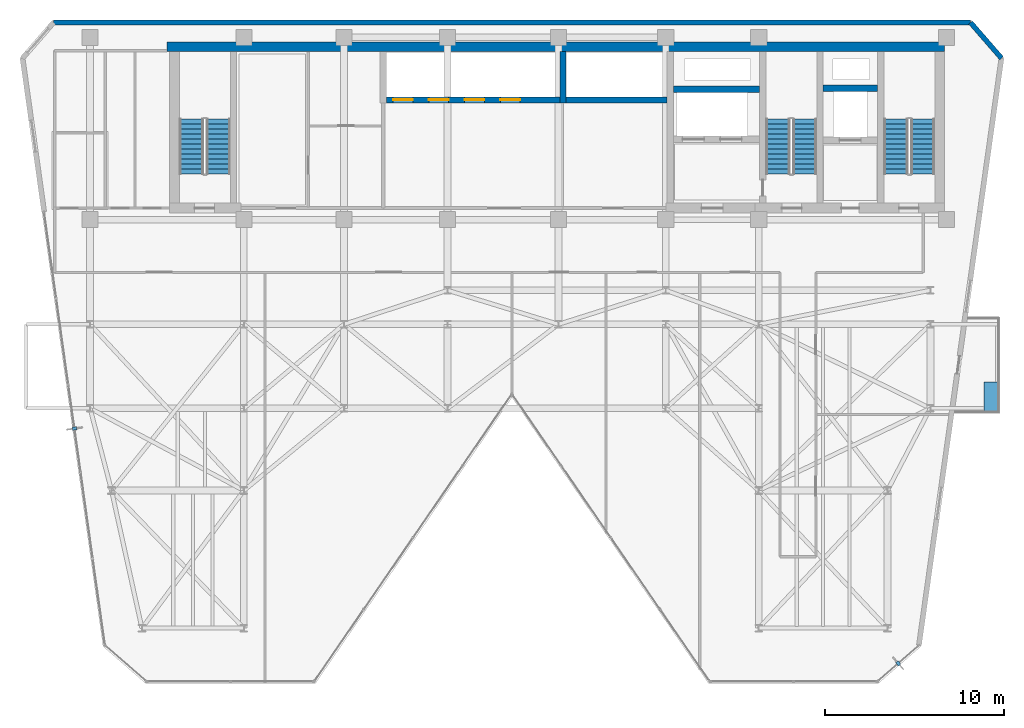
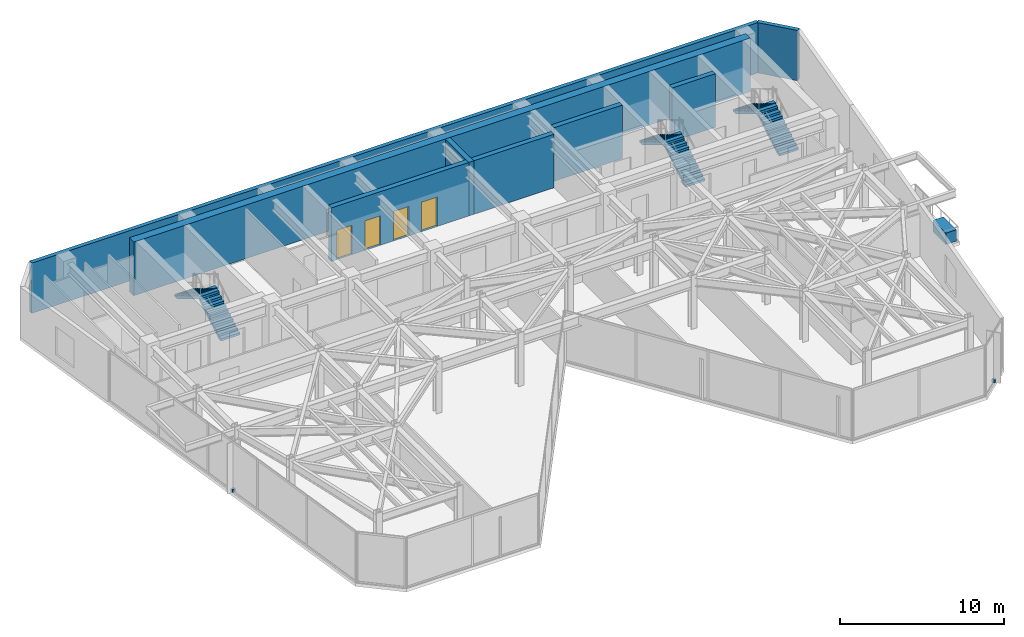
# One storey, part 24 of 27: 8 walls, 6 stair flights, 4 doors, 3 discrete accessories, 4 openings, 3 elements without a shape of their own.
"""IFC4 building model written with IfcOpenShell, lengths in metres."""

from ifc_helpers import new_model, si_unit, direction, frame, frame_2d, origin, origin_2d, place, context, subcontext, project, spatial, polyline, rectangle, outline, extrude, material, layer, layer_set, type_object, element, fill, aggregate, save


model = new_model("IFC4")

# Units and contexts
model_context = context("Model", 3, precision=1e-05, world=origin(), true_north=direction((0.0, 1.0)))
body_context = subcontext(model_context, "Body", "Model", "MODEL_VIEW")
ifc_project = project(units=[si_unit("LENGTHUNIT", "METRE"), si_unit("AREAUNIT", "SQUARE_METRE"), si_unit("VOLUMEUNIT", "CUBIC_METRE"), si_unit("PLANEANGLEUNIT", "RADIAN"), si_unit("MASSUNIT", "GRAM", prefix="KILO")], contexts=[model_context])

# Site, building, storey
site_placement = place(None, origin())
site = spatial("IfcSite", under=ifc_project, at=site_placement, CompositionType="ELEMENT")
building_placement = place(site_placement, origin())
building = spatial("IfcBuilding", under=site, at=building_placement, Name="Kravanh Interchange Tower", CompositionType="ELEMENT")
storey_placement = place(building_placement, frame((0.0, 0.0, 196.5)))
storey = spatial("IfcBuildingStorey", under=building, at=storey_placement, Name="L47", CompositionType="ELEMENT", Elevation=196.5)

# Walls
ifc_material_1 = material(Name="Concrete C60/75", Category="concrete")
ifc_layer_1 = layer(ifc_material_1, 0.35009765625)
ifc_layer_set_1 = layer_set([ifc_layer_1], Name="Core Shear Wall Concrete C60/75 350mm")
wall_type_1 = type_object("IfcWallType", Name="Core Shear Wall Concrete C60/75 350mm", PredefinedType="SHEAR", material=ifc_layer_set_1)
wall_1_placement = place(storey_placement, frame((59.60009765625, 44.699951171875, 0.0), z_axis=(0.0, 0.0, 1.0), x_axis=(1.0, 0.0, 0.0)))
element("IfcWall", 1, at=wall_1_placement, inside=storey, type_object=wall_type_1, Name="L47 Service Lift Shaft North Wall", PredefinedType="SHEAR", context=body_context, shape_type="SweptSolid", body=[
    extrude(rectangle(XDim=3.0498046875, YDim=0.35009765625, at=frame_2d((1.52490234375, 0.0))), origin(), (0.0, 0.0, 1.0), 4.0),
])
wall_2_placement = place(storey_placement, frame((51.22509765625, 44.64990234375, 0.0), z_axis=(0.0, 0.0, 1.0), x_axis=(1.0, 0.0, 0.0)))
element("IfcWall", 2, at=wall_2_placement, inside=storey, type_object=wall_type_1, Name="L47 Fire Lift Shaft North Wall", PredefinedType="SHEAR", context=body_context, shape_type="SweptSolid", body=[
    extrude(rectangle(XDim=4.824951171875, YDim=0.35009765625, at=frame_2d((2.41259765625, 0.0))), origin(), (0.0, 0.0, 1.0), 4.0),
])
wall_3_placement = place(storey_placement, frame((45.22509765625, 44.050048828125, 0.0), z_axis=(0.0, 0.0, 1.0), x_axis=(1.0, 0.0, 0.0)))
element("IfcWall", 3, at=wall_3_placement, inside=storey, type_object=wall_type_1, Name="L47 High-Rise Lift Shaft South Wall", PredefinedType="SHEAR", context=body_context, shape_type="SweptSolid", body=[
    extrude(rectangle(XDim=5.64990234375, YDim=0.35009765625, at=frame_2d((2.824951171875, 0.0))), origin(), (0.0, 0.0, 1.0), 4.0),
])
wall_4_placement = place(storey_placement, frame((45.050048828125, 43.875, 0.0), z_axis=(0.0, 0.0, 1.0), x_axis=(0.0, 1.0, 0.0)))
element("IfcWall", 4, at=wall_4_placement, inside=storey, type_object=wall_type_1, Name="L47 High-Rise Lift Shaft West Wall", PredefinedType="SHEAR", context=body_context, shape_type="SweptSolid", body=[
    extrude(rectangle(XDim=2.875, YDim=0.35009765625, at=frame_2d((1.4375, 0.0))), origin(), (0.0, 0.0, 1.0), 4.0),
])

# Wall, openings, doors
wall_5_placement = place(storey_placement, frame((35.175048828125, 44.050048828125, 0.0), z_axis=(0.0, 0.0, 1.0), x_axis=(1.0, 0.0, 0.0)))
wall_5 = element("IfcWall", 5, at=wall_5_placement, inside=storey, type_object=wall_type_1, Name="L47 Mid-Rise Lift Shaft South Wall", PredefinedType="SHEAR", context=body_context, shape_type="SweptSolid", body=[
    extrude(rectangle(XDim=9.699951171875, YDim=0.35009765625, at=frame_2d((4.85009765625, 0.0))), origin(), (0.0, 0.0, 1.0), 4.0),
])
opening_1_placement = place(wall_5_placement, frame((0.375, 0.0, 0.0)))
opening_1 = element("IfcOpeningElement", 6, at=opening_1_placement, cuts=wall_5, Name="Opening LD01", PredefinedType="OPENING", context=body_context, shape_type="SweptSolid", body=[
    extrude(rectangle(XDim=1.10009765625, YDim=2.199951171875, at=frame_2d((0.550048828125, 1.10009765625))), frame((0.0, 0.18505859375, 0.0), z_axis=(0.0, -1.0, 0.0), x_axis=(1.0, 0.0, 0.0)), (0.0, 0.0, 1.0), 0.3701171875),
])
opening_2_placement = place(wall_5_placement, frame((2.375, 0.0, 0.0)))
opening_2 = element("IfcOpeningElement", 7, at=opening_2_placement, cuts=wall_5, Name="Opening LD01", PredefinedType="OPENING", context=body_context, shape_type="SweptSolid", body=[
    extrude(rectangle(XDim=1.10009765625, YDim=2.199951171875, at=frame_2d((0.550048828125, 1.10009765625))), frame((0.0, 0.18505859375, 0.0), z_axis=(0.0, -1.0, 0.0), x_axis=(1.0, 0.0, 0.0)), (0.0, 0.0, 1.0), 0.3701171875),
])
opening_3_placement = place(wall_5_placement, frame((4.375, 0.0, 0.0)))
opening_3 = element("IfcOpeningElement", 8, at=opening_3_placement, cuts=wall_5, Name="Opening LD01", PredefinedType="OPENING", context=body_context, shape_type="SweptSolid", body=[
    extrude(rectangle(XDim=1.10009765625, YDim=2.199951171875, at=frame_2d((0.550048828125, 1.10009765625))), frame((0.0, 0.18505859375, 0.0), z_axis=(0.0, -1.0, 0.0), x_axis=(1.0, 0.0, 0.0)), (0.0, 0.0, 1.0), 0.3701171875),
])
opening_4_placement = place(wall_5_placement, frame((6.375, 0.0, 0.0)))
opening_4 = element("IfcOpeningElement", 9, at=opening_4_placement, cuts=wall_5, Name="Opening LD01", PredefinedType="OPENING", context=body_context, shape_type="SweptSolid", body=[
    extrude(rectangle(XDim=1.10009765625, YDim=2.199951171875, at=frame_2d((0.550048828125, 1.10009765625))), frame((0.0, 0.18505859375, 0.0), z_axis=(0.0, -1.0, 0.0), x_axis=(1.0, 0.0, 0.0)), (0.0, 0.0, 1.0), 0.3701171875),
])
ifc_material_2 = material(Name="Stainless Steel 304", Category="steel")
door_type = type_object("IfcDoorType", Name="Passenger Lift Sliding Landing Door 1100x2200", OperationType="DOUBLE_DOOR_SLIDING", PredefinedType="DOOR", material=ifc_material_2)
door_1_placement = place(opening_1_placement, origin())
door_1 = element("IfcDoor", 10, at=door_1_placement, inside=storey, type_object=door_type, Name="L47 Lift LP-M1 Landing Door", OperationType="DOUBLE_DOOR_SLIDING", OverallHeight=2.199951171875, OverallWidth=1.10009765625, PredefinedType="DOOR", context=body_context, shape_type="SweptSolid", body=[
    extrude(rectangle(XDim=1.10009765625, YDim=2.199951171875, at=frame_2d((0.550048828125, 1.10009765625))), frame((0.0, 0.02490234375, 0.0), z_axis=(0.0, -1.0, 0.0), x_axis=(1.0, 0.0, 0.0)), (0.0, 0.0, 1.0), 0.050048828125),
])
fill(opening_1, door_1)
door_2_placement = place(opening_2_placement, origin())
door_2 = element("IfcDoor", 11, at=door_2_placement, inside=storey, type_object=door_type, Name="L47 Lift LP-M2 Landing Door", OperationType="DOUBLE_DOOR_SLIDING", OverallHeight=2.199951171875, OverallWidth=1.10009765625, PredefinedType="DOOR", context=body_context, shape_type="SweptSolid", body=[
    extrude(rectangle(XDim=1.10009765625, YDim=2.199951171875, at=frame_2d((0.550048828125, 1.10009765625))), frame((0.0, 0.02490234375, 0.0), z_axis=(0.0, -1.0, 0.0), x_axis=(1.0, 0.0, 0.0)), (0.0, 0.0, 1.0), 0.050048828125),
])
fill(opening_2, door_2)
door_3_placement = place(opening_3_placement, origin())
door_3 = element("IfcDoor", 12, at=door_3_placement, inside=storey, type_object=door_type, Name="L47 Lift LP-M3 Landing Door", OperationType="DOUBLE_DOOR_SLIDING", OverallHeight=2.199951171875, OverallWidth=1.10009765625, PredefinedType="DOOR", context=body_context, shape_type="SweptSolid", body=[
    extrude(rectangle(XDim=1.10009765625, YDim=2.199951171875, at=frame_2d((0.550048828125, 1.10009765625))), frame((0.0, 0.02490234375, 0.0), z_axis=(0.0, -1.0, 0.0), x_axis=(1.0, 0.0, 0.0)), (0.0, 0.0, 1.0), 0.050048828125),
])
fill(opening_3, door_3)
door_4_placement = place(opening_4_placement, origin())
door_4 = element("IfcDoor", 13, at=door_4_placement, inside=storey, type_object=door_type, Name="L47 Lift LP-M4 Landing Door", OperationType="DOUBLE_DOOR_SLIDING", OverallHeight=2.199951171875, OverallWidth=1.10009765625, PredefinedType="DOOR", context=body_context, shape_type="SweptSolid", body=[
    extrude(rectangle(XDim=1.10009765625, YDim=2.199951171875, at=frame_2d((0.550048828125, 1.10009765625))), frame((0.0, 0.02490234375, 0.0), z_axis=(0.0, -1.0, 0.0), x_axis=(1.0, 0.0, 0.0)), (0.0, 0.0, 1.0), 0.050048828125),
])
fill(opening_4, door_4)

# Walls
ifc_material_3 = material(Name="Concrete C70/85", Category="concrete")
ifc_layer_2 = layer(ifc_material_3, 0.550048828125)
ifc_layer_set_2 = layer_set([ifc_layer_2], Name="Core Shear Wall Concrete C70/85 550mm")
wall_type_2 = type_object("IfcWallType", Name="Core Shear Wall Concrete C70/85 550mm", PredefinedType="SHEAR", material=ifc_layer_set_2)
wall_6_placement = place(storey_placement, frame((22.89990234375, 47.02490234375, 0.0), z_axis=(0.0, 0.0, 1.0), x_axis=(1.0, 0.0, 0.0)))
element("IfcWall", 14, at=wall_6_placement, inside=storey, type_object=wall_type_2, Name="L47 North Core Shear Wall", PredefinedType="SHEAR", context=body_context, shape_type="SweptSolid", body=[
    extrude(rectangle(XDim=43.5, YDim=0.550048828125, at=frame_2d((21.75, 0.0))), origin(), (0.0, 0.0, 1.0), 4.0),
])
ifc_material_4 = material(Name="Insulated Precast Concrete C40/50 with Bronze Cladding", Category="concrete")
ifc_layer_3 = layer(ifc_material_4, 0.280029296875)
ifc_layer_set_3 = layer_set([ifc_layer_3], Name="Exterior Insulated Concrete C40/50 Bronze Spandrel Wall 280mm")
wall_type_3 = type_object("IfcWallType", Name="Exterior Insulated Concrete C40/50 Bronze Spandrel Wall 280mm", PredefinedType="STANDARD", material=ifc_layer_set_3)
wall_7_placement = place(storey_placement, frame((16.5546875, 48.3798828125, 0.0), z_axis=(0.0, 0.0, 1.0), x_axis=(1.0, 0.0, 0.0)))
element("IfcWall", 15, at=wall_7_placement, inside=storey, type_object=wall_type_3, Name="L47 Exterior Wall 3", PredefinedType="STANDARD", context=body_context, shape_type="SweptSolid", body=[
    extrude(rectangle(XDim=51.29052734375, YDim=0.280029296875, at=frame_2d((25.645263671875, 0.0))), origin(), (0.0, 0.0, 1.0), 3.7548828125),
])
wall_8_placement = place(storey_placement, frame((67.84521484375, 48.3798828125, 0.0), z_axis=(0.0, 0.0, 1.0), x_axis=(0.656071351282, -0.754698868442, 0.0)))
element("IfcWall", 16, at=wall_8_placement, inside=storey, type_object=wall_type_3, Name="L47 Exterior Wall 4", PredefinedType="STANDARD", context=body_context, shape_type="SweptSolid", body=[
    extrude(rectangle(XDim=2.646240234375, YDim=0.280029296875, at=frame_2d((1.3232421875, 0.0))), origin(), (0.0, 0.0, 1.0), 3.7548828125),
])

# Stair, stair flights
ifc_material_5 = material(Name="Concrete C50/60", Category="concrete")
stair_type = type_object("IfcStairType", Name="Core Fire Exit Dogleg Stair Concrete C50/60", PredefinedType="HALF_TURN_STAIR", material=ifc_material_5)
stair_1_placement = place(storey_placement, origin())
stair_1 = element("IfcStair", 17, at=stair_1_placement, inside=storey, type_object=stair_type, Name="L47 Exit Stair ST1", PredefinedType="HALF_TURN_STAIR")
ifc_material_6 = material(Name="Precast Concrete C50/60", Category="concrete")
ifc_layer_4 = layer(ifc_material_6, 0.199951171875)
ifc_layer_set_4 = layer_set([ifc_layer_4], Name="Precast Concrete C50/60 Stair Flight 1350mm")
stair_flight_type = type_object("IfcStairFlightType", Name="Precast Concrete C50/60 Stair Flight 1350mm", PredefinedType="STRAIGHT", material=ifc_layer_set_4)
stair_flight_1_placement = place(storey_placement, frame((65.175048828125, 39.89990234375, 0.0), z_axis=(0.0, 0.0, 1.0), x_axis=(0.0, 1.0, 0.0)))
stair_flight_1 = element("IfcStairFlight", 18, at=stair_flight_1_placement, type_object=stair_flight_type, Name="ST1 flight 1", NumberOfRisers=12, NumberOfTreads=11, PredefinedType="STRAIGHT", RiserHeight=0.166666667, TreadLength=0.28, context=body_context, shape_type="SweptSolid", body=[
    extrude(outline(polyline([(0.0, 0.0), (0.0, 0.166748046875), (0.280029296875, 0.166748046875), (0.280029296875, 0.333251953125), (0.56005859375, 0.333251953125), (0.56005859375, 0.5), (0.840087890625, 0.5), (0.840087890625, 0.666748046875), (1.1201171875, 0.666748046875), (1.1201171875, 0.833251953125), (1.39990234375, 0.833251953125), (1.39990234375, 1.0), (1.679931640625, 1.0), (1.679931640625, 1.166748046875), (1.9599609375, 1.166748046875), (1.9599609375, 1.333251953125), (2.239990234375, 1.333251953125), (2.239990234375, 1.5), (2.52001953125, 1.5), (2.52001953125, 1.666748046875), (2.800048828125, 1.666748046875), (2.800048828125, 1.833251953125), (3.080078125, 1.833251953125), (3.080078125, 2.0), (3.080078125, 1.658935546875), (0.29296875, 0.0), (0.0, 0.0)])), frame((0.0, 0.675048828125, 0.0), z_axis=(0.0, -1.0, 0.0), x_axis=(1.0, 0.0, 0.0)), (0.0, 0.0, 1.0), 1.35009765625),
])
stair_flight_2_placement = place(storey_placement, frame((63.675048828125, 42.97998046875, 2.0), z_axis=(0.0, 0.0, 1.0), x_axis=(0.0, -1.0, 0.0)))
stair_flight_2 = element("IfcStairFlight", 19, at=stair_flight_2_placement, type_object=stair_flight_type, Name="ST1 flight 2", NumberOfRisers=12, NumberOfTreads=11, PredefinedType="STRAIGHT", RiserHeight=0.166666667, TreadLength=0.28, context=body_context, shape_type="SweptSolid", body=[
    extrude(outline(polyline([(0.0, 0.0), (0.0, 0.166748046875), (0.280029296875, 0.166748046875), (0.280029296875, 0.333251953125), (0.56005859375, 0.333251953125), (0.56005859375, 0.5), (0.840087890625, 0.5), (0.840087890625, 0.666748046875), (1.1201171875, 0.666748046875), (1.1201171875, 0.833251953125), (1.39990234375, 0.833251953125), (1.39990234375, 1.0), (1.679931640625, 1.0), (1.679931640625, 1.166748046875), (1.9599609375, 1.166748046875), (1.9599609375, 1.333251953125), (2.239990234375, 1.333251953125), (2.239990234375, 1.5), (2.52001953125, 1.5), (2.52001953125, 1.666748046875), (2.800048828125, 1.666748046875), (2.800048828125, 1.833251953125), (3.080078125, 1.833251953125), (3.080078125, 2.0), (3.080078125, 1.658935546875), (0.29296875, 0.0), (0.0, 0.0)])), frame((0.0, 0.675048828125, 0.0), z_axis=(0.0, -1.0, 0.0), x_axis=(1.0, 0.0, 0.0)), (0.0, 0.0, 1.0), 1.35009765625),
])
aggregate(stair_1, [stair_flight_1, stair_flight_2])

stair_2_placement = place(storey_placement, origin())
stair_2 = element("IfcStair", 20, at=stair_2_placement, inside=storey, type_object=stair_type, Name="L47 Exit Stair ST2", PredefinedType="HALF_TURN_STAIR")
stair_flight_3_placement = place(storey_placement, frame((58.574951171875, 39.89990234375, 0.0), z_axis=(0.0, 0.0, 1.0), x_axis=(0.0, 1.0, 0.0)))
stair_flight_3 = element("IfcStairFlight", 21, at=stair_flight_3_placement, type_object=stair_flight_type, Name="ST2 flight 1", NumberOfRisers=12, NumberOfTreads=11, PredefinedType="STRAIGHT", RiserHeight=0.166666667, TreadLength=0.28, context=body_context, shape_type="SweptSolid", body=[
    extrude(outline(polyline([(0.0, 0.0), (0.0, 0.166748046875), (0.280029296875, 0.166748046875), (0.280029296875, 0.333251953125), (0.56005859375, 0.333251953125), (0.56005859375, 0.5), (0.840087890625, 0.5), (0.840087890625, 0.666748046875), (1.1201171875, 0.666748046875), (1.1201171875, 0.833251953125), (1.39990234375, 0.833251953125), (1.39990234375, 1.0), (1.679931640625, 1.0), (1.679931640625, 1.166748046875), (1.9599609375, 1.166748046875), (1.9599609375, 1.333251953125), (2.239990234375, 1.333251953125), (2.239990234375, 1.5), (2.52001953125, 1.5), (2.52001953125, 1.666748046875), (2.800048828125, 1.666748046875), (2.800048828125, 1.833251953125), (3.080078125, 1.833251953125), (3.080078125, 2.0), (3.080078125, 1.658935546875), (0.29296875, 0.0), (0.0, 0.0)])), frame((0.0, 0.675048828125, 0.0), z_axis=(0.0, -1.0, 0.0), x_axis=(1.0, 0.0, 0.0)), (0.0, 0.0, 1.0), 1.35009765625),
])
stair_flight_4_placement = place(storey_placement, frame((57.074951171875, 42.97998046875, 2.0), z_axis=(0.0, 0.0, 1.0), x_axis=(0.0, -1.0, 0.0)))
stair_flight_4 = element("IfcStairFlight", 22, at=stair_flight_4_placement, type_object=stair_flight_type, Name="ST2 flight 2", NumberOfRisers=12, NumberOfTreads=11, PredefinedType="STRAIGHT", RiserHeight=0.166666667, TreadLength=0.28, context=body_context, shape_type="SweptSolid", body=[
    extrude(outline(polyline([(0.0, 0.0), (0.0, 0.166748046875), (0.280029296875, 0.166748046875), (0.280029296875, 0.333251953125), (0.56005859375, 0.333251953125), (0.56005859375, 0.5), (0.840087890625, 0.5), (0.840087890625, 0.666748046875), (1.1201171875, 0.666748046875), (1.1201171875, 0.833251953125), (1.39990234375, 0.833251953125), (1.39990234375, 1.0), (1.679931640625, 1.0), (1.679931640625, 1.166748046875), (1.9599609375, 1.166748046875), (1.9599609375, 1.333251953125), (2.239990234375, 1.333251953125), (2.239990234375, 1.5), (2.52001953125, 1.5), (2.52001953125, 1.666748046875), (2.800048828125, 1.666748046875), (2.800048828125, 1.833251953125), (3.080078125, 1.833251953125), (3.080078125, 2.0), (3.080078125, 1.658935546875), (0.29296875, 0.0), (0.0, 0.0)])), frame((0.0, 0.675048828125, 0.0), z_axis=(0.0, -1.0, 0.0), x_axis=(1.0, 0.0, 0.0)), (0.0, 0.0, 1.0), 1.35009765625),
])
aggregate(stair_2, [stair_flight_3, stair_flight_4])

stair_3_placement = place(storey_placement, origin())
stair_3 = element("IfcStair", 23, at=stair_3_placement, inside=storey, type_object=stair_type, Name="L47 Exit Stair ST3", PredefinedType="HALF_TURN_STAIR")
stair_flight_5_placement = place(storey_placement, frame((25.77490234375, 39.89990234375, 0.0), z_axis=(0.0, 0.0, 1.0), x_axis=(0.0, 1.0, 0.0)))
stair_flight_5 = element("IfcStairFlight", 24, at=stair_flight_5_placement, type_object=stair_flight_type, Name="ST3 flight 1", NumberOfRisers=12, NumberOfTreads=11, PredefinedType="STRAIGHT", RiserHeight=0.166666667, TreadLength=0.28, context=body_context, shape_type="SweptSolid", body=[
    extrude(outline(polyline([(0.0, 0.0), (0.0, 0.166748046875), (0.280029296875, 0.166748046875), (0.280029296875, 0.333251953125), (0.56005859375, 0.333251953125), (0.56005859375, 0.5), (0.840087890625, 0.5), (0.840087890625, 0.666748046875), (1.1201171875, 0.666748046875), (1.1201171875, 0.833251953125), (1.39990234375, 0.833251953125), (1.39990234375, 1.0), (1.679931640625, 1.0), (1.679931640625, 1.166748046875), (1.9599609375, 1.166748046875), (1.9599609375, 1.333251953125), (2.239990234375, 1.333251953125), (2.239990234375, 1.5), (2.52001953125, 1.5), (2.52001953125, 1.666748046875), (2.800048828125, 1.666748046875), (2.800048828125, 1.833251953125), (3.080078125, 1.833251953125), (3.080078125, 2.0), (3.080078125, 1.658935546875), (0.29296875, 0.0), (0.0, 0.0)])), frame((0.0, 0.675048828125, 0.0), z_axis=(0.0, -1.0, 0.0), x_axis=(1.0, 0.0, 0.0)), (0.0, 0.0, 1.0), 1.35009765625),
])
stair_flight_6_placement = place(storey_placement, frame((24.27490234375, 42.97998046875, 2.0), z_axis=(0.0, 0.0, 1.0), x_axis=(0.0, -1.0, 0.0)))
stair_flight_6 = element("IfcStairFlight", 25, at=stair_flight_6_placement, type_object=stair_flight_type, Name="ST3 flight 2", NumberOfRisers=12, NumberOfTreads=11, PredefinedType="STRAIGHT", RiserHeight=0.166666667, TreadLength=0.28, context=body_context, shape_type="SweptSolid", body=[
    extrude(outline(polyline([(0.0, 0.0), (0.0, 0.166748046875), (0.280029296875, 0.166748046875), (0.280029296875, 0.333251953125), (0.56005859375, 0.333251953125), (0.56005859375, 0.5), (0.840087890625, 0.5), (0.840087890625, 0.666748046875), (1.1201171875, 0.666748046875), (1.1201171875, 0.833251953125), (1.39990234375, 0.833251953125), (1.39990234375, 1.0), (1.679931640625, 1.0), (1.679931640625, 1.166748046875), (1.9599609375, 1.166748046875), (1.9599609375, 1.333251953125), (2.239990234375, 1.333251953125), (2.239990234375, 1.5), (2.52001953125, 1.5), (2.52001953125, 1.666748046875), (2.800048828125, 1.666748046875), (2.800048828125, 1.833251953125), (3.080078125, 1.833251953125), (3.080078125, 2.0), (3.080078125, 1.658935546875), (0.29296875, 0.0), (0.0, 0.0)])), frame((0.0, 0.675048828125, 0.0), z_axis=(0.0, -1.0, 0.0), x_axis=(1.0, 0.0, 0.0)), (0.0, 0.0, 1.0), 1.35009765625),
])
aggregate(stair_3, [stair_flight_5, stair_flight_6])

# Discrete accessories
ifc_material_7 = material(Name="Stainless Steel 316", Category="steel")
discrete_accessory_type_1 = type_object("IfcDiscreteAccessoryType", Name="Solar Fin Curtain-Wall Mounting Bracket Stainless 316", PredefinedType="BRACKET", material=ifc_material_7)
for number, where, z_axis, x_axis, name in (
    (26, (17.729736328125, 25.67041015625, 0.0), (0.0, 0.0, 1.0), (-0.990268182791, -0.139172289451, 0.0), "L47 Solar Fin Mounting Bracket 1"),
    (27, (63.80322265625, 12.530517578125, 0.0), (0.0, 0.0, 1.0), (0.656059988016, -0.754708746554, 0.0), "L47 Solar Fin Mounting Bracket 2"),
):
    element("IfcDiscreteAccessory", number, at=place(storey_placement, frame(where, z_axis=z_axis, x_axis=x_axis)), inside=storey, type_object=discrete_accessory_type_1, Name=name, PredefinedType="BRACKET", context=body_context, shape_type="SweptSolid", body=[
        extrude(rectangle(XDim=0.239990234375, YDim=0.179931640625, at=origin_2d()), origin(), (0.0, 0.0, 1.0), 0.219970703125),
    ])
ifc_material_8 = material(Name="Architectural GRC Concrete C40/50 with Root Barrier", Category="concrete")
discrete_accessory_type_2 = type_object("IfcDiscreteAccessoryType", Name="Structural Balcony Tree Planter Box Concrete C40/50 1600x750x850", PredefinedType="USERDEFINED", material=ifc_material_8)
discrete_accessory_placement = place(storey_placement, frame((68.969970703125, 27.4599609375, 0.0), z_axis=(0.0, 0.0, 1.0), x_axis=(1.0, 0.0, 0.0)))
element("IfcDiscreteAccessory", 28, at=discrete_accessory_placement, inside=storey, type_object=discrete_accessory_type_2, Name="L47 E Balcony TREE PLANTER", ObjectType="PLANTER", PredefinedType="USERDEFINED", context=body_context, shape_type="SweptSolid", body=[
    extrude(rectangle(XDim=0.75, YDim=1.60009765625, at=origin_2d()), origin(), (0.0, 0.0, 1.0), 0.85009765625),
])

save(model, "model.ifc")
